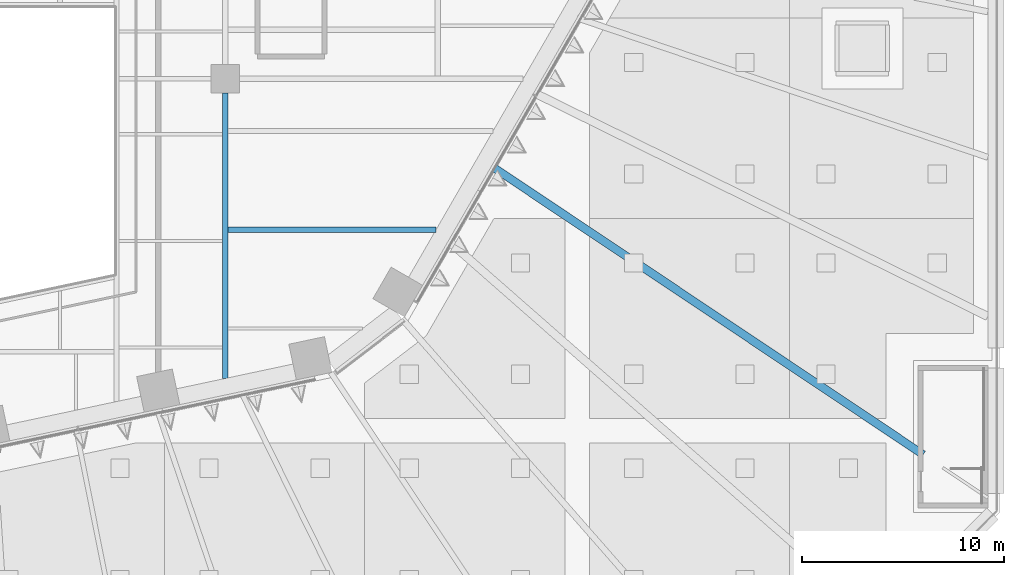
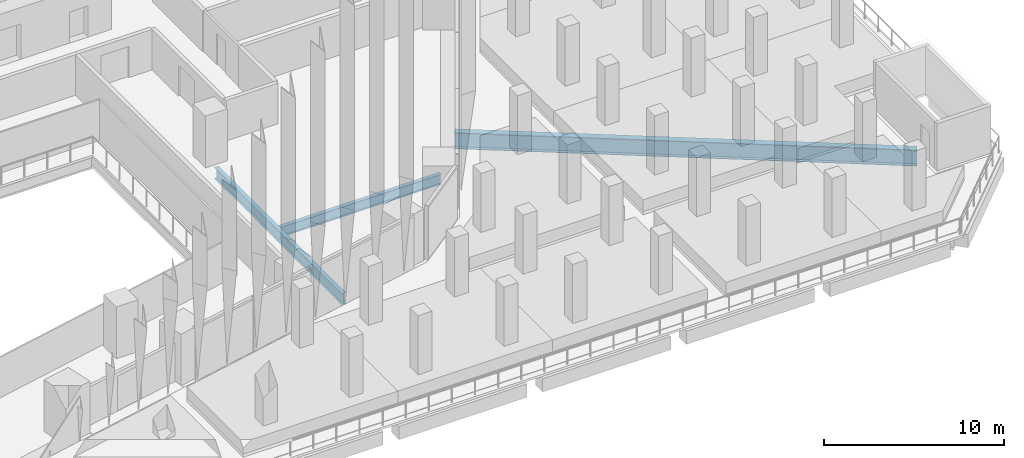
# One storey, part 11 of 51: 3 beams.
"""IFC4 building model written with IfcOpenShell, lengths in metres."""

from ifc_helpers import new_model, si_unit, direction, frame, origin, origin_2d, place, context, subcontext, project, spatial, i_section, extrude, material, material_profile, profile_set, type_object, element, save


model = new_model("IFC4")

# Units and contexts
model_context = context("Model", 3, precision=1e-05, world=origin(), true_north=direction((0.0, 1.0)))
body_context = subcontext(model_context, "Body", "Model", "MODEL_VIEW")
ifc_project = project(units=[si_unit("LENGTHUNIT", "METRE"), si_unit("AREAUNIT", "SQUARE_METRE"), si_unit("VOLUMEUNIT", "CUBIC_METRE"), si_unit("PLANEANGLEUNIT", "RADIAN"), si_unit("MASSUNIT", "GRAM", prefix="KILO")], contexts=[model_context])

# Site, building, storey
site_placement = place(None, origin())
site = spatial("IfcSite", under=ifc_project, at=site_placement, CompositionType="ELEMENT")
building_placement = place(site_placement, origin())
building = spatial("IfcBuilding", under=site, at=building_placement, Name="Isthmus Gate Tower", CompositionType="ELEMENT")
storey_placement = place(building_placement, frame((0.0, 0.0, 36.0)))
storey = spatial("IfcBuildingStorey", under=building, at=storey_placement, Name="L06", CompositionType="ELEMENT", Elevation=36.0)

# Beams
ifc_material_1 = material(Name="Structural steel ASTM A992 Gr 50", Category="steel")
ifc_material_profile_1 = material_profile(ifc_material_1, i_section(OverallWidth=0.25390625, OverallDepth=0.679443359375, WebThickness=0.010986328125, FlangeThickness=0.015869140625, at=origin_2d()), Name="W27X84")
ifc_profile_set_1 = profile_set([ifc_material_profile_1], Name="Structural steel ASTM A992 Gr 50")
beam_type_1 = type_object("IfcBeamType", Name="STEEL FLOOR BEAM W27X84", PredefinedType="JOIST", material=ifc_profile_set_1)
beam_1_placement = place(storey_placement, frame((13.63330078125, -20.958740234375, -0.48974609375), z_axis=(1.0, 0.0, 0.0), x_axis=(0.0, 1.0, 0.0)))
element("IfcBeam", 1, at=beam_1_placement, inside=storey, type_object=beam_type_1, Name="str-beam-L06-28-01", PredefinedType="JOIST", context=body_context, shape_type="SweptSolid", body=[
    extrude(i_section(OverallWidth=0.25390625, OverallDepth=0.679443359375, WebThickness=0.010986328125, FlangeThickness=0.015869140625, at=origin_2d()), origin(), (0.0, 0.0, 1.0), 10.292724609375),
])
ifc_material_2 = material(Name="Structural steel ASTM A992 Gr 50", Category="steel")
ifc_material_profile_2 = material_profile(ifc_material_2, i_section(OverallWidth=0.2666015625, OverallDepth=0.7587890625, WebThickness=0.014404296875, FlangeThickness=0.01904296875, at=origin_2d()), Name="W30X108")
ifc_profile_set_2 = profile_set([ifc_material_profile_2], Name="Structural steel ASTM A992 Gr 50")
beam_type_2 = type_object("IfcBeamType", Name="STEEL GIRDER W30X108", PredefinedType="BEAM", material=ifc_profile_set_2)
beam_2_placement = place(storey_placement, frame((13.5, -28.3125, -0.529296875), z_axis=(0.0, 1.0, 0.0), x_axis=(-1.0, 0.0, 0.0)))
element("IfcBeam", 2, at=beam_2_placement, inside=storey, type_object=beam_type_2, Name="str-girder-L06-31", PredefinedType="BEAM", context=body_context, shape_type="SweptSolid", body=[
    extrude(i_section(OverallWidth=0.2666015625, OverallDepth=0.7587890625, WebThickness=0.014404296875, FlangeThickness=0.01904296875, at=origin_2d()), origin(), (0.0, 0.0, 1.0), 14.112548828125),
])
ifc_material_3 = material(Name="Structural steel ASTM A992 Gr 50", Category="steel")
ifc_material_profile_3 = material_profile(ifc_material_3, i_section(OverallWidth=0.39990234375, OverallDepth=1.089111328125, WebThickness=0.017578125, FlangeThickness=0.03173828125, at=origin_2d()), Name="W44X230")
ifc_profile_set_3 = profile_set([ifc_material_profile_3], Name="Structural steel ASTM A992 Gr 50")
beam_type_3 = type_object("IfcBeamType", Name="STEEL LEDGE BEAM W44X230", PredefinedType="JOIST", material=ifc_profile_set_3)
beam_3_placement = place(storey_placement, frame((26.6640625, -17.81640625, -0.694580078125), z_axis=(0.83147166708, -0.555567157815, 0.0), x_axis=(0.555567157815, 0.83147166708, 0.0)))
element("IfcBeam", 3, at=beam_3_placement, inside=storey, type_object=beam_type_3, Name="str-ringbeam-L06-00-44", PredefinedType="JOIST", context=body_context, shape_type="SweptSolid", body=[
    extrude(i_section(OverallWidth=0.39990234375, OverallDepth=1.089111328125, WebThickness=0.017578125, FlangeThickness=0.03173828125, at=origin_2d()), origin(), (0.0, 0.0, 1.0), 25.660400390625),
])

save(model, "model.ifc")
